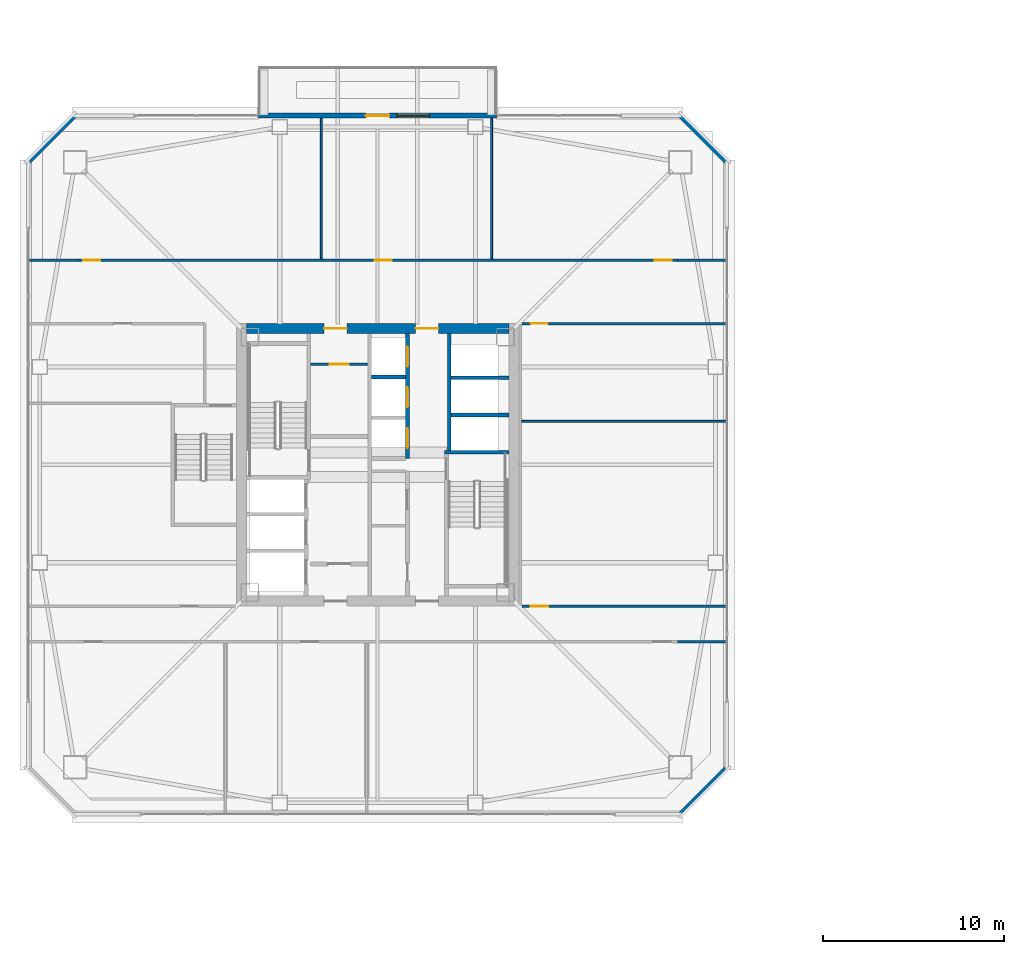
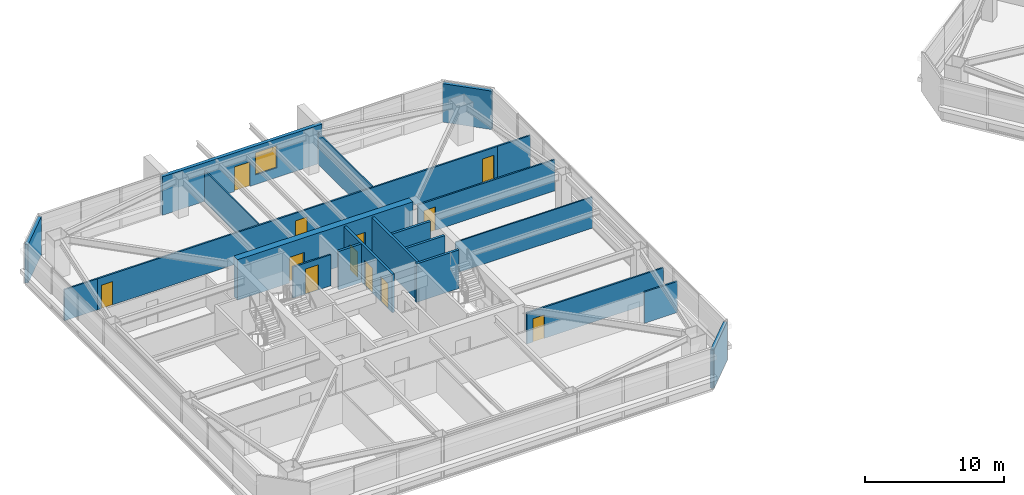
# One storey, part 35 of 44: 21 walls, 12 doors, 1 window, 13 openings.
"""IFC4 building model written with IfcOpenShell, lengths in metres."""

from ifc_helpers import new_model, si_unit, direction, frame, frame_2d, origin, place, context, subcontext, project, spatial, rectangle, extrude, material, layer, layer_set, type_object, element, fill, save


model = new_model("IFC4")

# Units and contexts
model_context = context("Model", 3, precision=1e-05, world=origin(), true_north=direction((0.0, 1.0)))
body_context = subcontext(model_context, "Body", "Model", "MODEL_VIEW")
ifc_project = project(units=[si_unit("LENGTHUNIT", "METRE"), si_unit("AREAUNIT", "SQUARE_METRE"), si_unit("VOLUMEUNIT", "CUBIC_METRE"), si_unit("PLANEANGLEUNIT", "RADIAN"), si_unit("MASSUNIT", "GRAM", prefix="KILO")], contexts=[model_context])

# Site, building, storey
site_placement = place(None, origin())
site = spatial("IfcSite", under=ifc_project, at=site_placement, CompositionType="ELEMENT")
building_placement = place(site_placement, origin())
building = spatial("IfcBuilding", under=site, at=building_placement, Name="Tashvorn Skyway Center", CompositionType="ELEMENT")
storey_placement = place(building_placement, frame((0.0, 0.0, 149.89990234375)))
storey = spatial("IfcBuildingStorey", under=building, at=storey_placement, Name="L40", CompositionType="ELEMENT", Elevation=149.89990234375)

# Wall, openings, doors
ifc_material_1 = material(Name="Concrete C60/75", Category="concrete")
ifc_layer_1 = layer(ifc_material_1, 0.550048828125)
ifc_layer_set_1 = layer_set([ifc_layer_1], Name="Concrete C60/75")
wall_type_1 = type_object("IfcWallType", Name="WALL-CORE-550", PredefinedType="SHEAR", material=ifc_layer_set_1)
wall_1_placement = place(storey_placement, frame((34.75, 39.52490234375, 0.0), z_axis=(0.0, 0.0, 1.0), x_axis=(1.0, 0.0, 0.0)))
wall_1 = element("IfcWall", 1, at=wall_1_placement, inside=storey, type_object=wall_type_1, Name="Tower 1 L40 North Core Shear Wall", PredefinedType="SHEAR", context=body_context, shape_type="SweptSolid", body=[
    extrude(rectangle(XDim=14.5, YDim=0.550048828125, at=frame_2d((7.25, 0.0))), origin(), (0.0, 0.0, 1.0), 3.550048828125),
])
opening_1_placement = place(wall_1_placement, frame((4.300048828125, 0.0, 0.0)))
opening_1 = element("IfcOpeningElement", 2, at=opening_1_placement, cuts=wall_1, Name="Opening D-FFL-1250", PredefinedType="OPENING", context=body_context, shape_type="SweptSolid", body=[
    extrude(rectangle(XDim=1.25, YDim=2.25, at=frame_2d((0.625, 1.125))), frame((0.0, 0.284912109375, 0.0), z_axis=(0.0, -1.0, 0.0), x_axis=(1.0, 0.0, 0.0)), (0.0, 0.0, 1.0), 0.570068359375),
])
opening_2_placement = place(wall_1_placement, frame((9.35009765625, 0.0, 0.0)))
opening_2 = element("IfcOpeningElement", 3, at=opening_2_placement, cuts=wall_1, Name="Opening D-FFL-1250", PredefinedType="OPENING", context=body_context, shape_type="SweptSolid", body=[
    extrude(rectangle(XDim=1.25, YDim=2.25, at=frame_2d((0.625, 1.125))), frame((0.0, 0.284912109375, 0.0), z_axis=(0.0, -1.0, 0.0), x_axis=(1.0, 0.0, 0.0)), (0.0, 0.0, 1.0), 0.570068359375),
])
ifc_material_2 = material(Name="Hollow galvanized steel fire door assembly", Category="steel")
door_type_1 = type_object("IfcDoorType", Name="DOOR-FFL-1250", OperationType="NOTDEFINED", PredefinedType="DOOR", material=ifc_material_2)
door_1_placement = place(opening_1_placement, origin())
door_1 = element("IfcDoor", 4, at=door_1_placement, inside=storey, type_object=door_type_1, Name="Tower 1 L40 Core North Service Lobby Door", OperationType="SINGLE_SWING_LEFT", OverallHeight=2.25, OverallWidth=1.25, PredefinedType="DOOR", context=body_context, shape_type="SweptSolid", body=[
    extrude(rectangle(XDim=1.25, YDim=2.25, at=frame_2d((0.625, 1.125))), frame((0.0, 0.02490234375, 0.0), z_axis=(0.0, -1.0, 0.0), x_axis=(1.0, 0.0, 0.0)), (0.0, 0.0, 1.0), 0.050048828125),
])
fill(opening_1, door_1)
door_2_placement = place(opening_2_placement, origin())
door_2 = element("IfcDoor", 5, at=door_2_placement, inside=storey, type_object=door_type_1, Name="Tower 1 L40 Core North Lift Lobby Door", OperationType="SINGLE_SWING_RIGHT", OverallHeight=2.25, OverallWidth=1.25, PredefinedType="DOOR", context=body_context, shape_type="SweptSolid", body=[
    extrude(rectangle(XDim=1.25, YDim=2.25, at=frame_2d((0.625, 1.125))), frame((0.0, 0.02490234375, 0.0), z_axis=(0.0, -1.0, 0.0), x_axis=(1.0, 0.0, 0.0)), (0.0, 0.0, 1.0), 0.050048828125),
])
fill(opening_2, door_2)

# Wall, openings, door, window
ifc_material_3 = material(Name="Precast concrete C40/50", Category="concrete")
ifc_layer_2 = layer(ifc_material_3, 0.280029296875)
ifc_layer_set_2 = layer_set([ifc_layer_2], Name="Precast concrete C40/50")
wall_type_2 = type_object("IfcWallType", Name="WALL-EXT-280", PredefinedType="SOLIDWALL", material=ifc_layer_set_2)
wall_2_placement = place(storey_placement, frame((35.39990234375, 51.280029296875, 0.0), z_axis=(0.0, 0.0, 1.0), x_axis=(1.0, 0.0, 0.0)))
wall_2 = element("IfcWall", 6, at=wall_2_placement, inside=storey, type_object=wall_type_2, Name="Tower 1 L40 North Sky Garden Loggia Wall", PredefinedType="SOLIDWALL", context=body_context, shape_type="SweptSolid", body=[
    extrude(rectangle(XDim=13.2001953125, YDim=0.280029296875, at=frame_2d((6.60009765625, 0.0))), origin(), (0.0, 0.0, 1.0), 3.3701171875),
])
opening_3_placement = place(wall_2_placement, frame((5.949951171875, 0.0, 0.0)))
opening_3 = element("IfcOpeningElement", 7, at=opening_3_placement, cuts=wall_2, Name="Opening D-TER-1300", PredefinedType="OPENING", context=body_context, shape_type="SweptSolid", body=[
    extrude(rectangle(XDim=1.300048828125, YDim=2.14990234375, at=frame_2d((0.64990234375, 1.074951171875))), frame((0.0, 0.14990234375, 0.0), z_axis=(0.0, -1.0, 0.0), x_axis=(1.0, 0.0, 0.0)), (0.0, 0.0, 1.0), 0.300048828125),
])
opening_4_placement = place(wall_2_placement, frame((7.66796875, 0.0, 0.85009765625)))
opening_4 = element("IfcOpeningElement", 8, at=opening_4_placement, cuts=wall_2, Name="Opening WIN-1800", PredefinedType="OPENING", context=body_context, shape_type="SweptSolid", body=[
    extrude(rectangle(XDim=1.800048828125, YDim=1.919921875, at=frame_2d((0.89990234375, 0.9599609375))), frame((0.0, 0.14990234375, 0.0), z_axis=(0.0, -1.0, 0.0), x_axis=(1.0, 0.0, 0.0)), (0.0, 0.0, 1.0), 0.300048828125),
])
ifc_material_4 = material(Name="Thermally broken bronze-anodized aluminium 6063-T6", Category="aluminium")
door_type_2 = type_object("IfcDoorType", Name="DOOR-TERR-1300", OperationType="NOTDEFINED", PredefinedType="DOOR", material=ifc_material_4)
door_3_placement = place(opening_3_placement, origin())
door_3 = element("IfcDoor", 9, at=door_3_placement, inside=storey, type_object=door_type_2, Name="Tower 1 L40 Sky Garden Access Door", OperationType="SINGLE_SWING_RIGHT", OverallHeight=2.14990234375, OverallWidth=1.300048828125, PredefinedType="DOOR", context=body_context, shape_type="SweptSolid", body=[
    extrude(rectangle(XDim=1.300048828125, YDim=2.14990234375, at=frame_2d((0.64990234375, 1.074951171875))), frame((0.0, 0.02490234375, 0.0), z_axis=(0.0, -1.0, 0.0), x_axis=(1.0, 0.0, 0.0)), (0.0, 0.0, 1.0), 0.050048828125),
])
fill(opening_3, door_3)
ifc_material_5 = material(Name="Low-E solar-control double insulating safety glass", Category="glass")
window_type = type_object("IfcWindowType", Name="WIN-TERR-1800", PartitioningType="SINGLE_PANEL", PredefinedType="WINDOW", material=ifc_material_5)
window_placement = place(opening_4_placement, origin())
window = element("IfcWindow", 10, at=window_placement, inside=storey, type_object=window_type, Name="Tower 1 L40 Sky Garden Window", OverallHeight=1.919921875, OverallWidth=1.800048828125, PartitioningType="SINGLE_PANEL", PredefinedType="WINDOW", context=body_context, shape_type="SweptSolid", body=[
    extrude(rectangle(XDim=1.800048828125, YDim=1.919921875, at=frame_2d((0.89990234375, 0.9599609375))), frame((0.0, 0.030029296875, 0.0), z_axis=(0.0, -1.0, 0.0), x_axis=(1.0, 0.0, 0.0)), (0.0, 0.0, 1.0), 0.06005859375),
])
fill(opening_4, window)

# Walls
for number, where, z_axis, x_axis, name in (
    (11, (22.699951171875, 48.699951171875, 0.0), (0.0, 0.0, 1.0), (0.707106781187, 0.707106781187, 0.0), "Tower 1 L40 NW Precast Chamfer Wall"),
    (12, (58.699951171875, 51.300048828125, 0.0), (0.0, 0.0, 1.0), (0.707106781187, -0.707106781187, 0.0), "Tower 1 L40 NE Precast Chamfer Wall"),
    (13, (61.300048828125, 15.300048828125, 0.0), (0.0, 0.0, 1.0), (-0.707106781187, -0.707106781187, 0.0), "Tower 1 L40 SE Precast Chamfer Wall"),
):
    element("IfcWall", number, at=place(storey_placement, frame(where, z_axis=z_axis, x_axis=x_axis)), inside=storey, type_object=wall_type_2, Name=name, PredefinedType="SOLIDWALL", context=body_context, shape_type="SweptSolid", body=[
        extrude(rectangle(XDim=3.677001953125, YDim=0.280029296875, at=frame_2d((1.83837890625, 0.0))), origin(), (0.0, 0.0, 1.0), 3.3701171875),
    ])
ifc_material_6 = material(Name="Gypsum board on cold-formed steel stud framing", Category="steel")
ifc_layer_3 = layer(ifc_material_6, 0.110107421875)
ifc_layer_set_3 = layer_set([ifc_layer_3], Name="Gypsum board on cold-formed steel stud framing")
wall_type_3 = type_object("IfcWallType", Name="WALL-PART-110", PredefinedType="PARTITIONING", material=ifc_layer_set_3)
for number, where, z_axis, x_axis, name in (
    (14, (38.89990234375, 43.3798828125, 0.0), (0.0, 0.0, 1.0), (0.0, 1.0, 0.0), "Tower 1 L40 North Suite Partition 1"),
    (15, (48.300048828125, 43.3798828125, 0.0), (0.0, 0.0, 1.0), (0.0, 1.0, 0.0), "Tower 1 L40 North Suite Partition 2"),
):
    element("IfcWall", number, at=place(storey_placement, frame(where, z_axis=z_axis, x_axis=x_axis)), inside=storey, type_object=wall_type_3, Name=name, PredefinedType="PARTITIONING", context=body_context, shape_type="SweptSolid", body=[
        extrude(rectangle(XDim=7.75, YDim=0.110107421875, at=frame_2d((3.875, 0.0))), origin(), (0.0, 0.0, 1.0), 2.72314453125),
    ])
wall_3_placement = place(storey_placement, frame((49.9599609375, 34.39990234375, 0.0), z_axis=(0.0, 0.0, 1.0), x_axis=(1.0, 0.0, 0.0)))
element("IfcWall", 16, at=wall_3_placement, inside=storey, type_object=wall_type_3, Name="Tower 1 L40 East Mid Partition", PredefinedType="PARTITIONING", context=body_context, shape_type="SweptSolid", body=[
    extrude(rectangle(XDim=11.320068359375, YDim=0.110107421875, at=frame_2d((5.66015625, 0.0))), origin(), (0.0, 0.0, 1.0), 2.72314453125),
])

# Wall, openings, doors
ifc_layer_4 = layer(ifc_material_6, 0.135009765625)
ifc_layer_set_4 = layer_set([ifc_layer_4], Name="Gypsum board on cold-formed steel stud framing")
wall_type_4 = type_object("IfcWallType", Name="WALL-PART-135", PredefinedType="PARTITIONING", material=ifc_layer_set_4)
wall_4_placement = place(storey_placement, frame((25.449951171875, 43.300048828125, 0.0), z_axis=(0.0, 0.0, 1.0), x_axis=(1.0, 0.0, 0.0)))
wall_4 = element("IfcWall", 17, at=wall_4_placement, inside=storey, type_object=wall_type_4, Name="Tower 1 L40 North Suite Wall", PredefinedType="PARTITIONING", context=body_context, shape_type="SweptSolid", body=[
    extrude(rectangle(XDim=33.10009765625, YDim=0.135009765625, at=frame_2d((16.550048828125, 0.0))), origin(), (0.0, 0.0, 1.0), 2.72314453125),
])
opening_5_placement = place(wall_4_placement, frame((0.300048828125, 0.0, 0.0)))
opening_5 = element("IfcOpeningElement", 18, at=opening_5_placement, cuts=wall_4, Name="Opening D-INT-950", PredefinedType="OPENING", context=body_context, shape_type="SweptSolid", body=[
    extrude(rectangle(XDim=0.949951171875, YDim=2.050048828125, at=frame_2d((0.47509765625, 1.02490234375))), frame((0.0, 0.077392578125, 0.0), z_axis=(0.0, -1.0, 0.0), x_axis=(1.0, 0.0, 0.0)), (0.0, 0.0, 1.0), 0.155029296875),
])
opening_6_placement = place(wall_4_placement, frame((16.393310546875, 0.0, 0.0)))
opening_6 = element("IfcOpeningElement", 19, at=opening_6_placement, cuts=wall_4, Name="Opening D-INT-950", PredefinedType="OPENING", context=body_context, shape_type="SweptSolid", body=[
    extrude(rectangle(XDim=0.949951171875, YDim=2.050048828125, at=frame_2d((0.47509765625, 1.02490234375))), frame((0.0, 0.077392578125, 0.0), z_axis=(0.0, -1.0, 0.0), x_axis=(1.0, 0.0, 0.0)), (0.0, 0.0, 1.0), 0.155029296875),
])
opening_7_placement = place(wall_4_placement, frame((31.85009765625, 0.0, 0.0)))
opening_7 = element("IfcOpeningElement", 20, at=opening_7_placement, cuts=wall_4, Name="Opening D-INT-950", PredefinedType="OPENING", context=body_context, shape_type="SweptSolid", body=[
    extrude(rectangle(XDim=0.949951171875, YDim=2.050048828125, at=frame_2d((0.47509765625, 1.02490234375))), frame((0.0, 0.077392578125, 0.0), z_axis=(0.0, -1.0, 0.0), x_axis=(1.0, 0.0, 0.0)), (0.0, 0.0, 1.0), 0.155029296875),
])
ifc_material_7 = material(Name="Solid-core architectural oak veneer door")
door_type_3 = type_object("IfcDoorType", Name="DOOR-INT-950", OperationType="NOTDEFINED", PredefinedType="DOOR", material=ifc_material_7)
door_4_placement = place(opening_5_placement, origin())
door_4 = element("IfcDoor", 21, at=door_4_placement, inside=storey, type_object=door_type_3, Name="Tower 1 L40 Operations Control Room Door", OperationType="SINGLE_SWING_LEFT", OverallHeight=2.050048828125, OverallWidth=0.949951171875, PredefinedType="DOOR", context=body_context, shape_type="SweptSolid", body=[
    extrude(rectangle(XDim=0.949951171875, YDim=2.050048828125, at=frame_2d((0.47509765625, 1.02490234375))), frame((0.0, 0.02490234375, 0.0), z_axis=(0.0, -1.0, 0.0), x_axis=(1.0, 0.0, 0.0)), (0.0, 0.0, 1.0), 0.050048828125),
])
fill(opening_5, door_4)
door_5_placement = place(opening_6_placement, origin())
door_5 = element("IfcDoor", 22, at=door_5_placement, inside=storey, type_object=door_type_3, Name="Tower 1 L40 Operations Control Room Door", OperationType="SINGLE_SWING_RIGHT", OverallHeight=2.050048828125, OverallWidth=0.949951171875, PredefinedType="DOOR", context=body_context, shape_type="SweptSolid", body=[
    extrude(rectangle(XDim=0.949951171875, YDim=2.050048828125, at=frame_2d((0.47509765625, 1.02490234375))), frame((0.0, 0.02490234375, 0.0), z_axis=(0.0, -1.0, 0.0), x_axis=(1.0, 0.0, 0.0)), (0.0, 0.0, 1.0), 0.050048828125),
])
fill(opening_6, door_5)
door_6_placement = place(opening_7_placement, origin())
door_6 = element("IfcDoor", 23, at=door_6_placement, inside=storey, type_object=door_type_3, Name="Tower 1 L40 Boardroom Door", OperationType="SINGLE_SWING_LEFT", OverallHeight=2.050048828125, OverallWidth=0.949951171875, PredefinedType="DOOR", context=body_context, shape_type="SweptSolid", body=[
    extrude(rectangle(XDim=0.949951171875, YDim=2.050048828125, at=frame_2d((0.47509765625, 1.02490234375))), frame((0.0, 0.02490234375, 0.0), z_axis=(0.0, -1.0, 0.0), x_axis=(1.0, 0.0, 0.0)), (0.0, 0.0, 1.0), 0.050048828125),
])
fill(opening_7, door_6)

# Walls
for number, where, z_axis, x_axis, name in (
    (24, (22.719970703125, 43.300048828125, 0.0), (0.0, 0.0, 1.0), (1.0, 0.0, 0.0), "Tower 1 L40 North-West Suite South Wall"),
    (25, (58.550048828125, 43.300048828125, 0.0), (0.0, 0.0, 1.0), (1.0, 0.0, 0.0), "Tower 1 L40 North-East Suite South Wall"),
    (26, (58.550048828125, 22.22998046875, 0.0), (0.0, 0.0, 1.0), (1.0, 0.0, 0.0), "Tower 1 L40 South-East Suite North Wall"),
):
    element("IfcWall", number, at=place(storey_placement, frame(where, z_axis=z_axis, x_axis=x_axis)), inside=storey, type_object=wall_type_4, Name=name, PredefinedType="PARTITIONING", context=body_context, shape_type="SweptSolid", body=[
        extrude(rectangle(XDim=2.72998046875, YDim=0.135009765625, at=frame_2d((1.364990234375, 0.0))), origin(), (0.0, 0.0, 1.0), 2.72314453125),
    ])

# Wall, opening, door
wall_5_placement = place(storey_placement, frame((61.280029296875, 39.800048828125, 0.0), z_axis=(0.0, 0.0, 1.0), x_axis=(-1.0, 0.0, 0.0)))
wall_5 = element("IfcWall", 27, at=wall_5_placement, inside=storey, type_object=wall_type_4, Name="Tower 1 L40 East Suite North Wall", PredefinedType="PARTITIONING", context=body_context, shape_type="SweptSolid", body=[
    extrude(rectangle(XDim=11.320068359375, YDim=0.135009765625, at=frame_2d((5.66015625, 0.0))), origin(), (0.0, 0.0, 1.0), 2.72314453125),
])
opening_8_placement = place(wall_5_placement, frame((9.8798828125, 0.0, 0.0)))
opening_8 = element("IfcOpeningElement", 28, at=opening_8_placement, cuts=wall_5, Name="Opening D-INT-950", PredefinedType="OPENING", context=body_context, shape_type="SweptSolid", body=[
    extrude(rectangle(XDim=0.949951171875, YDim=2.050048828125, at=frame_2d((0.47509765625, 1.02490234375))), frame((0.0, 0.077392578125, 0.0), z_axis=(0.0, -1.0, 0.0), x_axis=(1.0, 0.0, 0.0)), (0.0, 0.0, 1.0), 0.155029296875),
])
door_7_placement = place(opening_8_placement, origin())
door_7 = element("IfcDoor", 29, at=door_7_placement, inside=storey, type_object=door_type_3, Name="Tower 1 L40 Wellness Clinic Door", OperationType="SINGLE_SWING_LEFT", OverallHeight=2.050048828125, OverallWidth=0.949951171875, PredefinedType="DOOR", context=body_context, shape_type="SweptSolid", body=[
    extrude(rectangle(XDim=0.949951171875, YDim=2.050048828125, at=frame_2d((0.47509765625, 1.02490234375))), frame((0.0, 0.02490234375, 0.0), z_axis=(0.0, -1.0, 0.0), x_axis=(1.0, 0.0, 0.0)), (0.0, 0.0, 1.0), 0.050048828125),
])
fill(opening_8, door_7)

wall_6_placement = place(storey_placement, frame((49.9599609375, 24.199951171875, 0.0), z_axis=(0.0, 0.0, 1.0), x_axis=(1.0, 0.0, 0.0)))
wall_6 = element("IfcWall", 30, at=wall_6_placement, inside=storey, type_object=wall_type_4, Name="Tower 1 L40 East Suite South Wall", PredefinedType="PARTITIONING", context=body_context, shape_type="SweptSolid", body=[
    extrude(rectangle(XDim=11.320068359375, YDim=0.135009765625, at=frame_2d((5.66015625, 0.0))), origin(), (0.0, 0.0, 1.0), 2.72314453125),
])
opening_9_placement = place(wall_6_placement, frame((0.5, 0.0, 0.0)))
opening_9 = element("IfcOpeningElement", 31, at=opening_9_placement, cuts=wall_6, Name="Opening D-INT-950", PredefinedType="OPENING", context=body_context, shape_type="SweptSolid", body=[
    extrude(rectangle(XDim=0.949951171875, YDim=2.050048828125, at=frame_2d((0.47509765625, 1.02490234375))), frame((0.0, 0.077392578125, 0.0), z_axis=(0.0, -1.0, 0.0), x_axis=(1.0, 0.0, 0.0)), (0.0, 0.0, 1.0), 0.155029296875),
])
door_8_placement = place(opening_9_placement, origin())
door_8 = element("IfcDoor", 32, at=door_8_placement, inside=storey, type_object=door_type_3, Name="Tower 1 L40 Public Restroom Door", OperationType="SINGLE_SWING_RIGHT", OverallHeight=2.050048828125, OverallWidth=0.949951171875, PredefinedType="DOOR", context=body_context, shape_type="SweptSolid", body=[
    extrude(rectangle(XDim=0.949951171875, YDim=2.050048828125, at=frame_2d((0.47509765625, 1.02490234375))), frame((0.0, 0.02490234375, 0.0), z_axis=(0.0, -1.0, 0.0), x_axis=(1.0, 0.0, 0.0)), (0.0, 0.0, 1.0), 0.050048828125),
])
fill(opening_9, door_8)

ifc_layer_5 = layer(ifc_material_6, 0.135009765625)
ifc_layer_set_5 = layer_set([ifc_layer_5], Name="Gypsum board on cold-formed steel stud framing")
wall_type_5 = type_object("IfcWallType", Name="WALL-RATED-135", PredefinedType="PARTITIONING", material=ifc_layer_set_5)
wall_7_placement = place(storey_placement, frame((38.300048828125, 37.550048828125, 0.0), z_axis=(0.0, 0.0, 1.0), x_axis=(1.0, 0.0, 0.0)))
wall_7 = element("IfcWall", 33, at=wall_7_placement, inside=storey, type_object=wall_type_5, Name="Tower 1 L40 Core Service Lobby Wall", PredefinedType="PARTITIONING", context=body_context, shape_type="SweptSolid", body=[
    extrude(rectangle(XDim=3.14990234375, YDim=0.135009765625, at=frame_2d((1.574951171875, 0.0))), origin(), (0.0, 0.0, 1.0), 2.72314453125),
])
opening_10_placement = place(wall_7_placement, frame((1.050048828125, 0.0, 0.0)))
opening_10 = element("IfcOpeningElement", 34, at=opening_10_placement, cuts=wall_7, Name="Opening D-RT-1050", PredefinedType="OPENING", context=body_context, shape_type="SweptSolid", body=[
    extrude(rectangle(XDim=1.050048828125, YDim=2.199951171875, at=frame_2d((0.52490234375, 1.10009765625))), frame((0.0, 0.077392578125, 0.0), z_axis=(0.0, -1.0, 0.0), x_axis=(1.0, 0.0, 0.0)), (0.0, 0.0, 1.0), 0.155029296875),
])
door_type_4 = type_object("IfcDoorType", Name="DOOR-RATED-1050", OperationType="NOTDEFINED", PredefinedType="DOOR", material=ifc_material_2)
door_9_placement = place(opening_10_placement, origin())
door_9 = element("IfcDoor", 35, at=door_9_placement, inside=storey, type_object=door_type_4, Name="Tower 1 L40 Core Accessible WC Door", OperationType="SINGLE_SWING_LEFT", OverallHeight=2.199951171875, OverallWidth=1.050048828125, PredefinedType="DOOR", context=body_context, shape_type="SweptSolid", body=[
    extrude(rectangle(XDim=1.050048828125, YDim=2.199951171875, at=frame_2d((0.52490234375, 1.10009765625))), frame((0.0, 0.02490234375, 0.0), z_axis=(0.0, -1.0, 0.0), x_axis=(1.0, 0.0, 0.0)), (0.0, 0.0, 1.0), 0.050048828125),
])
fill(opening_10, door_9)

# Walls
ifc_material_8 = material(Name="Concrete C40/50", Category="concrete")
ifc_layer_6 = layer(ifc_material_8, 0.199951171875)
ifc_layer_set_6 = layer_set([ifc_layer_6], Name="Concrete C40/50")
wall_type_6 = type_object("IfcWallType", Name="WALL-SHAFT-200", PredefinedType="SOLIDWALL", material=ifc_layer_set_6)
for number, where, z_axis, x_axis, name in (
    (36, (46.050048828125, 34.75, 0.0), (0.0, 0.0, 1.0), (1.0, 0.0, 0.0), "Tower 1 L40 High-Rise Shaft Divider"),
    (37, (46.050048828125, 36.800048828125, 0.0), (0.0, 0.0, 1.0), (1.0, 0.0, 0.0), "Tower 1 L40 High-Rise Shaft Divider"),
):
    element("IfcWall", number, at=place(storey_placement, frame(where, z_axis=z_axis, x_axis=x_axis)), inside=storey, type_object=wall_type_6, Name=name, PredefinedType="SOLIDWALL", context=body_context, shape_type="SweptSolid", body=[
        extrude(rectangle(XDim=3.199951171875, YDim=0.199951171875, at=frame_2d((1.60009765625, 0.0))), origin(), (0.0, 0.0, 1.0), 3.3701171875),
    ])

# Wall, openings, doors
wall_8_placement = place(storey_placement, frame((43.64990234375, 32.35009765625, 0.0), z_axis=(0.0, 0.0, 1.0), x_axis=(0.0, 1.0, 0.0)))
wall_8 = element("IfcWall", 38, at=wall_8_placement, inside=storey, type_object=wall_type_6, Name="Tower 1 L40 Mid-Rise Core Wall", PredefinedType="SOLIDWALL", context=body_context, shape_type="SweptSolid", body=[
    extrude(rectangle(XDim=6.89990234375, YDim=0.199951171875, at=frame_2d((3.449951171875, 0.0))), origin(), (0.0, 0.0, 1.0), 3.3701171875),
])
opening_11_placement = place(wall_8_placement, frame((0.574951171875, 0.0, 0.0)))
opening_11 = element("IfcOpeningElement", 39, at=opening_11_placement, cuts=wall_8, Name="Opening LD-MR-T1-1-L40", PredefinedType="OPENING", context=body_context, shape_type="SweptSolid", body=[
    extrude(rectangle(XDim=1.10009765625, YDim=2.199951171875, at=frame_2d((0.550048828125, 1.10009765625))), frame((0.0, 0.10986328125, 0.0), z_axis=(0.0, -1.0, 0.0), x_axis=(1.0, 0.0, 0.0)), (0.0, 0.0, 1.0), 0.219970703125),
])
opening_12_placement = place(wall_8_placement, frame((2.824951171875, 0.0, 0.0)))
opening_12 = element("IfcOpeningElement", 40, at=opening_12_placement, cuts=wall_8, Name="Opening LD-MR-T1-2-L40", PredefinedType="OPENING", context=body_context, shape_type="SweptSolid", body=[
    extrude(rectangle(XDim=1.10009765625, YDim=2.199951171875, at=frame_2d((0.550048828125, 1.10009765625))), frame((0.0, 0.10986328125, 0.0), z_axis=(0.0, -1.0, 0.0), x_axis=(1.0, 0.0, 0.0)), (0.0, 0.0, 1.0), 0.219970703125),
])
opening_13_placement = place(wall_8_placement, frame((5.074951171875, 0.0, 0.0)))
opening_13 = element("IfcOpeningElement", 41, at=opening_13_placement, cuts=wall_8, Name="Opening LD-MR-T1-3-L40", PredefinedType="OPENING", context=body_context, shape_type="SweptSolid", body=[
    extrude(rectangle(XDim=1.10009765625, YDim=2.199951171875, at=frame_2d((0.550048828125, 1.10009765625))), frame((0.0, 0.10986328125, 0.0), z_axis=(0.0, -1.0, 0.0), x_axis=(1.0, 0.0, 0.0)), (0.0, 0.0, 1.0), 0.219970703125),
])
ifc_material_9 = material(Name="Stainless steel landing door", Category="steel")
door_type_5 = type_object("IfcDoorType", Name="DOOR-LIFT-1100", OperationType="SLIDING_TO_LEFT", PredefinedType="DOOR", material=ifc_material_9)
door_10_placement = place(opening_11_placement, origin())
door_10 = element("IfcDoor", 42, at=door_10_placement, inside=storey, type_object=door_type_5, Name="Lift MR-T1-1 L40 Landing Door", OperationType="SLIDING_TO_LEFT", OverallHeight=2.199951171875, OverallWidth=1.10009765625, PredefinedType="DOOR", context=body_context, shape_type="SweptSolid", body=[
    extrude(rectangle(XDim=1.10009765625, YDim=2.199951171875, at=frame_2d((0.550048828125, 1.10009765625))), frame((0.0, 0.02490234375, 0.0), z_axis=(0.0, -1.0, 0.0), x_axis=(1.0, 0.0, 0.0)), (0.0, 0.0, 1.0), 0.050048828125),
])
fill(opening_11, door_10)
door_11_placement = place(opening_12_placement, origin())
door_11 = element("IfcDoor", 43, at=door_11_placement, inside=storey, type_object=door_type_5, Name="Lift MR-T1-2 L40 Landing Door", OperationType="SLIDING_TO_LEFT", OverallHeight=2.199951171875, OverallWidth=1.10009765625, PredefinedType="DOOR", context=body_context, shape_type="SweptSolid", body=[
    extrude(rectangle(XDim=1.10009765625, YDim=2.199951171875, at=frame_2d((0.550048828125, 1.10009765625))), frame((0.0, 0.02490234375, 0.0), z_axis=(0.0, -1.0, 0.0), x_axis=(1.0, 0.0, 0.0)), (0.0, 0.0, 1.0), 0.050048828125),
])
fill(opening_12, door_11)
door_12_placement = place(opening_13_placement, origin())
door_12 = element("IfcDoor", 44, at=door_12_placement, inside=storey, type_object=door_type_5, Name="Lift MR-T1-3 L40 Landing Door", OperationType="SLIDING_TO_LEFT", OverallHeight=2.199951171875, OverallWidth=1.10009765625, PredefinedType="DOOR", context=body_context, shape_type="SweptSolid", body=[
    extrude(rectangle(XDim=1.10009765625, YDim=2.199951171875, at=frame_2d((0.550048828125, 1.10009765625))), frame((0.0, 0.02490234375, 0.0), z_axis=(0.0, -1.0, 0.0), x_axis=(1.0, 0.0, 0.0)), (0.0, 0.0, 1.0), 0.050048828125),
])
fill(opening_13, door_12)

# Walls
wall_9_placement = place(storey_placement, frame((41.669921875, 36.85009765625, 0.0), z_axis=(0.0, 0.0, 1.0), x_axis=(1.0, 0.0, 0.0)))
element("IfcWall", 45, at=wall_9_placement, inside=storey, type_object=wall_type_6, Name="Tower 1 L40 Mid-Rise Shaft Divider", PredefinedType="SOLIDWALL", context=body_context, shape_type="SweptSolid", body=[
    extrude(rectangle(XDim=1.880126953125, YDim=0.199951171875, at=frame_2d((0.93994140625, 0.0))), origin(), (0.0, 0.0, 1.0), 3.3701171875),
])
ifc_layer_7 = layer(ifc_material_8, 0.199951171875)
ifc_layer_set_7 = layer_set([ifc_layer_7], Name="Concrete C40/50")
wall_type_7 = type_object("IfcWallType", Name="WALL-STSHF-200", PredefinedType="SHEAR", material=ifc_layer_set_7)
wall_10_placement = place(storey_placement, frame((45.699951171875, 32.699951171875, 0.0), z_axis=(0.0, 0.0, 1.0), x_axis=(1.0, 0.0, 0.0)))
element("IfcWall", 46, at=wall_10_placement, inside=storey, type_object=wall_type_7, Name="Tower 1 L40 Stair 2 North Wall", PredefinedType="SHEAR", context=body_context, shape_type="SweptSolid", body=[
    extrude(rectangle(XDim=3.550048828125, YDim=0.199951171875, at=frame_2d((1.77490234375, 0.0))), origin(), (0.0, 0.0, 1.0), 3.3701171875),
])
wall_11_placement = place(storey_placement, frame((45.949951171875, 39.25, 0.0), z_axis=(0.0, 0.0, 1.0), x_axis=(0.0, -1.0, 0.0)))
element("IfcWall", 47, at=wall_11_placement, inside=storey, type_object=wall_type_7, Name="Tower 1 L40 High-Rise Lift Shaft Front Wall", PredefinedType="SHEAR", context=body_context, shape_type="SweptSolid", body=[
    extrude(rectangle(XDim=6.449951171875, YDim=0.199951171875, at=frame_2d((3.22509765625, 0.0))), origin(), (0.0, 0.0, 1.0), 3.3701171875),
])

save(model, "model.ifc")
